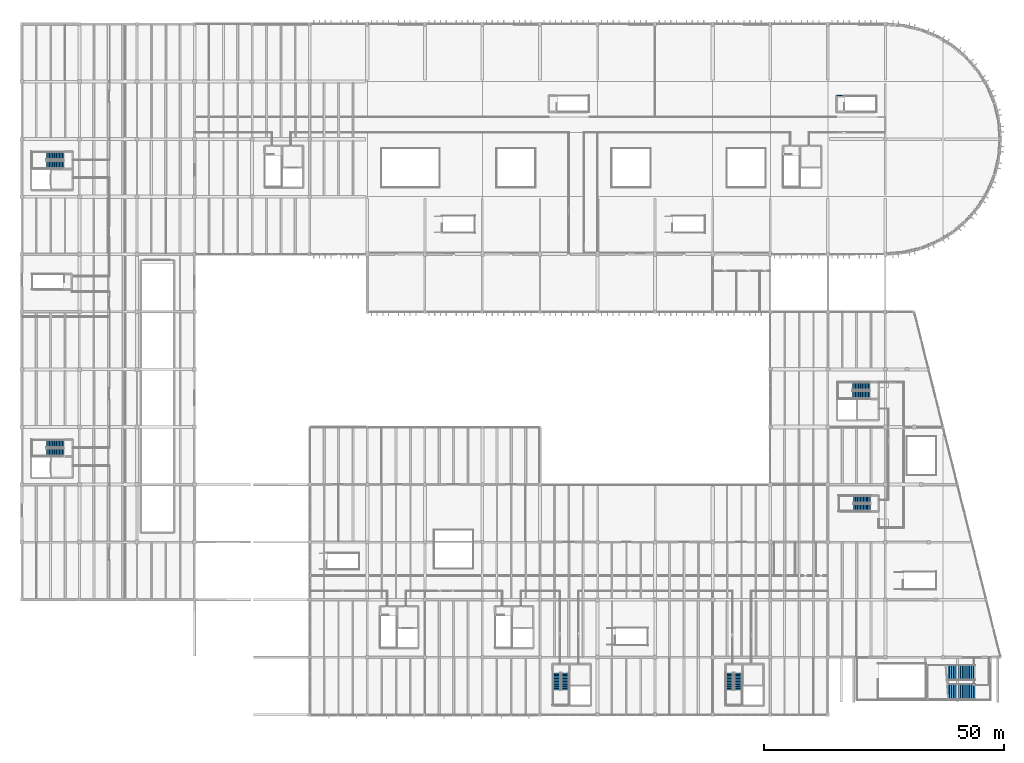
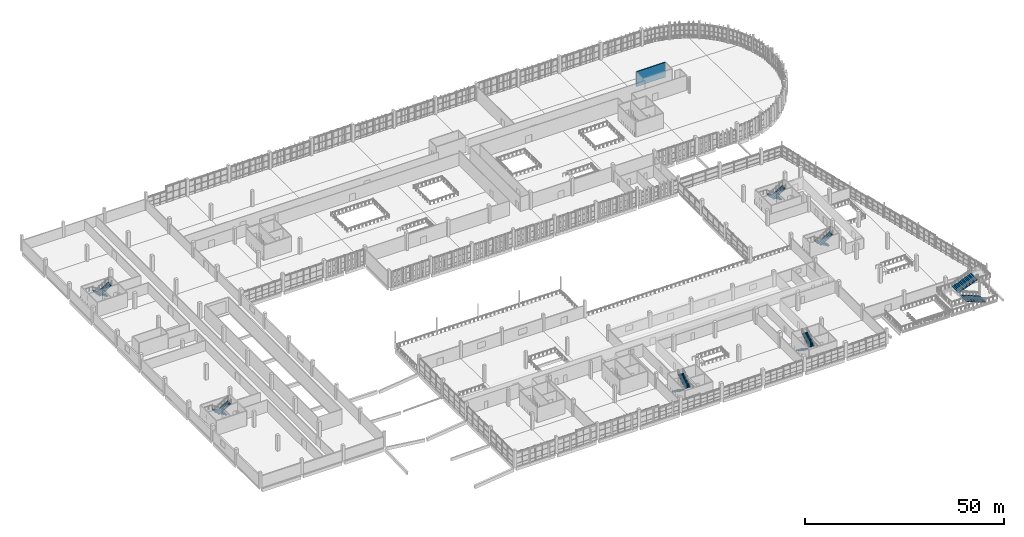
# One storey, part 89 of 112: 14 stair flights, 1 wall, 7 elements without a shape of their own.
"""IFC4 building model written with IfcOpenShell, lengths in metres."""

from ifc_helpers import new_model, si_unit, direction, frame, frame_2d, origin, place, context, subcontext, project, spatial, polyline, rectangle, outline, extrude, material, layer, layer_set, type_object, element, aggregate, save


model = new_model("IFC4")

# Units and contexts
model_context = context("Model", 3, precision=1e-05, world=origin(), true_north=direction((0.0, 1.0)))
body_context = subcontext(model_context, "Body", "Model", "MODEL_VIEW")
ifc_project = project(units=[si_unit("LENGTHUNIT", "METRE"), si_unit("AREAUNIT", "SQUARE_METRE"), si_unit("VOLUMEUNIT", "CUBIC_METRE"), si_unit("PLANEANGLEUNIT", "RADIAN"), si_unit("MASSUNIT", "GRAM", prefix="KILO")], contexts=[model_context])

# Site, building, storey
site_placement = place(None, origin())
site = spatial("IfcSite", under=ifc_project, at=site_placement, CompositionType="ELEMENT")
building_placement = place(site_placement, origin())
building = spatial("IfcBuilding", under=site, at=building_placement, Name="Kamomehara Wholesale Market", CompositionType="ELEMENT")
storey_placement = place(building_placement, frame((0.0, 0.0, 6.60009765625)))
storey = spatial("IfcBuildingStorey", under=building, at=storey_placement, Name="L01", CompositionType="ELEMENT", Elevation=6.60009765625)

# Wall
ifc_material_1 = material(Name="Concrete Fc36 (C35/45)", Category="concrete")
ifc_layer_1 = layer(ifc_material_1, 0.219970703125)
ifc_layer_set_1 = layer_set([ifc_layer_1], Name="Concrete Fc36 (C35/45)")
wall_type = type_object("IfcWallType", Name="IW-SHR-220", PredefinedType="SHEAR", material=ifc_layer_set_1)
wall_placement = place(storey_placement, frame((178.179931640625, 141.030029296875, 0.0), z_axis=(0.0, 0.0, 1.0), x_axis=(-1.0, 0.0, 0.0)))
element("IfcWall", 1, at=wall_placement, inside=storey, type_object=wall_type, Name="Interior wall IW-SHR-220 178", PredefinedType="SHEAR", context=body_context, shape_type="SweptSolid", body=[
    extrude(rectangle(XDim=8.3798828125, YDim=0.219970703125, at=frame_2d((4.18994140625, 0.0))), origin(), (0.0, 0.0, 1.0), 4.58984375),
])

# Stair, stair flights
ifc_material_2 = material(Name="Concrete Fc36 (C35/45)", Category="concrete")
stair_type_1 = type_object("IfcStairType", Name="STR-DL-02", PredefinedType="HALF_TURN_STAIR", material=ifc_material_2)
stair_1_placement = place(storey_placement, origin())
stair_1 = element("IfcStair", 2, at=stair_1_placement, inside=storey, type_object=stair_type_1, Name="L01 Core exit stair ST-03", PredefinedType="HALF_TURN_STAIR")
ifc_material_3 = material(Name="Concrete Fc36 (C35/45)", Category="concrete")
ifc_layer_2 = layer(ifc_material_3, 0.199951171875)
ifc_layer_set_2 = layer_set([ifc_layer_2], Name="Concrete Fc36 (C35/45)")
stair_flight_type_1 = type_object("IfcStairFlightType", Name="SFL-01", PredefinedType="STRAIGHT", material=ifc_layer_set_2)
stair_flight_1_placement = place(storey_placement, frame((8.75, 68.5, 0.0), z_axis=(0.0, 0.0, 1.0), x_axis=(-1.0, 0.0, 0.0)))
stair_flight_1 = element("IfcStairFlight", 3, at=stair_flight_1_placement, type_object=stair_flight_type_1, Name="ST-03 flight 1", NumberOfRisers=13, NumberOfTreads=12, PredefinedType="STRAIGHT", RiserHeight=0.184615385, TreadLength=0.3, context=body_context, shape_type="SweptSolid", body=[
    extrude(outline(polyline([(0.0, 0.0), (0.0, 0.1845703125), (0.300048828125, 0.1845703125), (0.300048828125, 0.369140625), (0.60009765625, 0.369140625), (0.60009765625, 0.553955078125), (0.89990234375, 0.553955078125), (0.89990234375, 0.738525390625), (1.199951171875, 0.738525390625), (1.199951171875, 0.923095703125), (1.5, 0.923095703125), (1.5, 1.107666015625), (1.800048828125, 1.107666015625), (1.800048828125, 1.292236328125), (2.10009765625, 1.292236328125), (2.10009765625, 1.476806640625), (2.39990234375, 1.476806640625), (2.39990234375, 1.66162109375), (2.699951171875, 1.66162109375), (2.699951171875, 1.84619140625), (3.0, 1.84619140625), (3.0, 2.03076171875), (3.300048828125, 2.03076171875), (3.300048828125, 2.21533203125), (3.60009765625, 2.21533203125), (3.60009765625, 2.39990234375), (3.60009765625, 1.980712890625), (0.381591796875, 0.0), (0.0, 0.0)])), frame((0.0, 0.800048828125, 0.0), z_axis=(0.0, -1.0, 0.0), x_axis=(1.0, 0.0, 0.0)), (0.0, 0.0, 1.0), 1.60009765625),
])
stair_flight_2_placement = place(storey_placement, frame((5.14990234375, 66.699951171875, 2.39990234375), z_axis=(0.0, 0.0, 1.0), x_axis=(1.0, 0.0, 0.0)))
stair_flight_2 = element("IfcStairFlight", 4, at=stair_flight_2_placement, type_object=stair_flight_type_1, Name="ST-03 flight 2", NumberOfRisers=13, NumberOfTreads=12, PredefinedType="STRAIGHT", RiserHeight=0.184615385, TreadLength=0.3, context=body_context, shape_type="SweptSolid", body=[
    extrude(outline(polyline([(0.0, 0.0), (0.0, 0.1845703125), (0.300048828125, 0.1845703125), (0.300048828125, 0.369140625), (0.60009765625, 0.369140625), (0.60009765625, 0.553955078125), (0.89990234375, 0.553955078125), (0.89990234375, 0.738525390625), (1.199951171875, 0.738525390625), (1.199951171875, 0.923095703125), (1.5, 0.923095703125), (1.5, 1.107666015625), (1.800048828125, 1.107666015625), (1.800048828125, 1.292236328125), (2.10009765625, 1.292236328125), (2.10009765625, 1.476806640625), (2.39990234375, 1.476806640625), (2.39990234375, 1.66162109375), (2.699951171875, 1.66162109375), (2.699951171875, 1.84619140625), (3.0, 1.84619140625), (3.0, 2.03076171875), (3.300048828125, 2.03076171875), (3.300048828125, 2.21533203125), (3.60009765625, 2.21533203125), (3.60009765625, 2.39990234375), (3.60009765625, 1.980712890625), (0.381591796875, 0.0), (0.0, 0.0)])), frame((0.0, 0.800048828125, 0.0), z_axis=(0.0, -1.0, 0.0), x_axis=(1.0, 0.0, 0.0)), (0.0, 0.0, 1.0), 1.60009765625),
])
aggregate(stair_1, [stair_flight_1, stair_flight_2])

stair_2_placement = place(storey_placement, origin())
stair_2 = element("IfcStair", 5, at=stair_2_placement, inside=storey, type_object=stair_type_1, Name="L01 Core exit stair ST-04", PredefinedType="HALF_TURN_STAIR")
stair_flight_3_placement = place(storey_placement, frame((8.75, 128.5, 0.0), z_axis=(0.0, 0.0, 1.0), x_axis=(-1.0, 0.0, 0.0)))
stair_flight_3 = element("IfcStairFlight", 6, at=stair_flight_3_placement, type_object=stair_flight_type_1, Name="ST-04 flight 1", NumberOfRisers=13, NumberOfTreads=12, PredefinedType="STRAIGHT", RiserHeight=0.184615385, TreadLength=0.3, context=body_context, shape_type="SweptSolid", body=[
    extrude(outline(polyline([(0.0, 0.0), (0.0, 0.1845703125), (0.300048828125, 0.1845703125), (0.300048828125, 0.369140625), (0.60009765625, 0.369140625), (0.60009765625, 0.553955078125), (0.89990234375, 0.553955078125), (0.89990234375, 0.738525390625), (1.199951171875, 0.738525390625), (1.199951171875, 0.923095703125), (1.5, 0.923095703125), (1.5, 1.107666015625), (1.800048828125, 1.107666015625), (1.800048828125, 1.292236328125), (2.10009765625, 1.292236328125), (2.10009765625, 1.476806640625), (2.39990234375, 1.476806640625), (2.39990234375, 1.66162109375), (2.699951171875, 1.66162109375), (2.699951171875, 1.84619140625), (3.0, 1.84619140625), (3.0, 2.03076171875), (3.300048828125, 2.03076171875), (3.300048828125, 2.21533203125), (3.60009765625, 2.21533203125), (3.60009765625, 2.39990234375), (3.60009765625, 1.980712890625), (0.381591796875, 0.0), (0.0, 0.0)])), frame((0.0, 0.800048828125, 0.0), z_axis=(0.0, -1.0, 0.0), x_axis=(1.0, 0.0, 0.0)), (0.0, 0.0, 1.0), 1.60009765625),
])
stair_flight_4_placement = place(storey_placement, frame((5.14990234375, 126.699951171875, 2.39990234375), z_axis=(0.0, 0.0, 1.0), x_axis=(1.0, 0.0, 0.0)))
stair_flight_4 = element("IfcStairFlight", 7, at=stair_flight_4_placement, type_object=stair_flight_type_1, Name="ST-04 flight 2", NumberOfRisers=13, NumberOfTreads=12, PredefinedType="STRAIGHT", RiserHeight=0.184615385, TreadLength=0.3, context=body_context, shape_type="SweptSolid", body=[
    extrude(outline(polyline([(0.0, 0.0), (0.0, 0.1845703125), (0.300048828125, 0.1845703125), (0.300048828125, 0.369140625), (0.60009765625, 0.369140625), (0.60009765625, 0.553955078125), (0.89990234375, 0.553955078125), (0.89990234375, 0.738525390625), (1.199951171875, 0.738525390625), (1.199951171875, 0.923095703125), (1.5, 0.923095703125), (1.5, 1.107666015625), (1.800048828125, 1.107666015625), (1.800048828125, 1.292236328125), (2.10009765625, 1.292236328125), (2.10009765625, 1.476806640625), (2.39990234375, 1.476806640625), (2.39990234375, 1.66162109375), (2.699951171875, 1.66162109375), (2.699951171875, 1.84619140625), (3.0, 1.84619140625), (3.0, 2.03076171875), (3.300048828125, 2.03076171875), (3.300048828125, 2.21533203125), (3.60009765625, 2.21533203125), (3.60009765625, 2.39990234375), (3.60009765625, 1.980712890625), (0.381591796875, 0.0), (0.0, 0.0)])), frame((0.0, 0.800048828125, 0.0), z_axis=(0.0, -1.0, 0.0), x_axis=(1.0, 0.0, 0.0)), (0.0, 0.0, 1.0), 1.60009765625),
])
aggregate(stair_2, [stair_flight_3, stair_flight_4])

stair_3_placement = place(storey_placement, origin())
stair_3 = element("IfcStair", 8, at=stair_3_placement, inside=storey, type_object=stair_type_1, Name="L01 Core exit stair ST-07", PredefinedType="HALF_TURN_STAIR")
stair_flight_5_placement = place(storey_placement, frame((111.5, 20.75, 0.0), z_axis=(0.0, 0.0, 1.0), x_axis=(0.0, -1.0, 0.0)))
stair_flight_5 = element("IfcStairFlight", 9, at=stair_flight_5_placement, type_object=stair_flight_type_1, Name="ST-07 flight 1", NumberOfRisers=13, NumberOfTreads=12, PredefinedType="STRAIGHT", RiserHeight=0.184615385, TreadLength=0.3, context=body_context, shape_type="SweptSolid", body=[
    extrude(outline(polyline([(0.0, 0.0), (0.0, 0.1845703125), (0.300048828125, 0.1845703125), (0.300048828125, 0.369140625), (0.60009765625, 0.369140625), (0.60009765625, 0.553955078125), (0.89990234375, 0.553955078125), (0.89990234375, 0.738525390625), (1.199951171875, 0.738525390625), (1.199951171875, 0.923095703125), (1.5, 0.923095703125), (1.5, 1.107666015625), (1.800048828125, 1.107666015625), (1.800048828125, 1.292236328125), (2.10009765625, 1.292236328125), (2.10009765625, 1.476806640625), (2.39990234375, 1.476806640625), (2.39990234375, 1.66162109375), (2.699951171875, 1.66162109375), (2.699951171875, 1.84619140625), (3.0, 1.84619140625), (3.0, 2.03076171875), (3.300048828125, 2.03076171875), (3.300048828125, 2.21533203125), (3.60009765625, 2.21533203125), (3.60009765625, 2.39990234375), (3.60009765625, 1.980712890625), (0.381591796875, 0.0), (0.0, 0.0)])), frame((0.0, 0.800048828125, 0.0), z_axis=(0.0, -1.0, 0.0), x_axis=(1.0, 0.0, 0.0)), (0.0, 0.0, 1.0), 1.60009765625),
])
stair_flight_6_placement = place(storey_placement, frame((113.300048828125, 17.14990234375, 2.39990234375), z_axis=(0.0, 0.0, 1.0), x_axis=(0.0, 1.0, 0.0)))
stair_flight_6 = element("IfcStairFlight", 10, at=stair_flight_6_placement, type_object=stair_flight_type_1, Name="ST-07 flight 2", NumberOfRisers=13, NumberOfTreads=12, PredefinedType="STRAIGHT", RiserHeight=0.184615385, TreadLength=0.3, context=body_context, shape_type="SweptSolid", body=[
    extrude(outline(polyline([(0.0, 0.0), (0.0, 0.1845703125), (0.300048828125, 0.1845703125), (0.300048828125, 0.369140625), (0.60009765625, 0.369140625), (0.60009765625, 0.553955078125), (0.89990234375, 0.553955078125), (0.89990234375, 0.738525390625), (1.199951171875, 0.738525390625), (1.199951171875, 0.923095703125), (1.5, 0.923095703125), (1.5, 1.107666015625), (1.800048828125, 1.107666015625), (1.800048828125, 1.292236328125), (2.10009765625, 1.292236328125), (2.10009765625, 1.476806640625), (2.39990234375, 1.476806640625), (2.39990234375, 1.66162109375), (2.699951171875, 1.66162109375), (2.699951171875, 1.84619140625), (3.0, 1.84619140625), (3.0, 2.03076171875), (3.300048828125, 2.03076171875), (3.300048828125, 2.21533203125), (3.60009765625, 2.21533203125), (3.60009765625, 2.39990234375), (3.60009765625, 1.980712890625), (0.381591796875, 0.0), (0.0, 0.0)])), frame((0.0, 0.800048828125, 0.0), z_axis=(0.0, -1.0, 0.0), x_axis=(1.0, 0.0, 0.0)), (0.0, 0.0, 1.0), 1.60009765625),
])
aggregate(stair_3, [stair_flight_5, stair_flight_6])

stair_4_placement = place(storey_placement, origin())
stair_4 = element("IfcStair", 11, at=stair_4_placement, inside=storey, type_object=stair_type_1, Name="L01 Core exit stair ST-08", PredefinedType="HALF_TURN_STAIR")
stair_flight_7_placement = place(storey_placement, frame((147.5, 20.75, 0.0), z_axis=(0.0, 0.0, 1.0), x_axis=(0.0, -1.0, 0.0)))
stair_flight_7 = element("IfcStairFlight", 12, at=stair_flight_7_placement, type_object=stair_flight_type_1, Name="ST-08 flight 1", NumberOfRisers=13, NumberOfTreads=12, PredefinedType="STRAIGHT", RiserHeight=0.184615385, TreadLength=0.3, context=body_context, shape_type="SweptSolid", body=[
    extrude(outline(polyline([(0.0, 0.0), (0.0, 0.1845703125), (0.300048828125, 0.1845703125), (0.300048828125, 0.369140625), (0.60009765625, 0.369140625), (0.60009765625, 0.553955078125), (0.89990234375, 0.553955078125), (0.89990234375, 0.738525390625), (1.199951171875, 0.738525390625), (1.199951171875, 0.923095703125), (1.5, 0.923095703125), (1.5, 1.107666015625), (1.800048828125, 1.107666015625), (1.800048828125, 1.292236328125), (2.10009765625, 1.292236328125), (2.10009765625, 1.476806640625), (2.39990234375, 1.476806640625), (2.39990234375, 1.66162109375), (2.699951171875, 1.66162109375), (2.699951171875, 1.84619140625), (3.0, 1.84619140625), (3.0, 2.03076171875), (3.300048828125, 2.03076171875), (3.300048828125, 2.21533203125), (3.60009765625, 2.21533203125), (3.60009765625, 2.39990234375), (3.60009765625, 1.980712890625), (0.381591796875, 0.0), (0.0, 0.0)])), frame((0.0, 0.800048828125, 0.0), z_axis=(0.0, -1.0, 0.0), x_axis=(1.0, 0.0, 0.0)), (0.0, 0.0, 1.0), 1.60009765625),
])
stair_flight_8_placement = place(storey_placement, frame((149.300048828125, 17.14990234375, 2.39990234375), z_axis=(0.0, 0.0, 1.0), x_axis=(0.0, 1.0, 0.0)))
stair_flight_8 = element("IfcStairFlight", 13, at=stair_flight_8_placement, type_object=stair_flight_type_1, Name="ST-08 flight 2", NumberOfRisers=13, NumberOfTreads=12, PredefinedType="STRAIGHT", RiserHeight=0.184615385, TreadLength=0.3, context=body_context, shape_type="SweptSolid", body=[
    extrude(outline(polyline([(0.0, 0.0), (0.0, 0.1845703125), (0.300048828125, 0.1845703125), (0.300048828125, 0.369140625), (0.60009765625, 0.369140625), (0.60009765625, 0.553955078125), (0.89990234375, 0.553955078125), (0.89990234375, 0.738525390625), (1.199951171875, 0.738525390625), (1.199951171875, 0.923095703125), (1.5, 0.923095703125), (1.5, 1.107666015625), (1.800048828125, 1.107666015625), (1.800048828125, 1.292236328125), (2.10009765625, 1.292236328125), (2.10009765625, 1.476806640625), (2.39990234375, 1.476806640625), (2.39990234375, 1.66162109375), (2.699951171875, 1.66162109375), (2.699951171875, 1.84619140625), (3.0, 1.84619140625), (3.0, 2.03076171875), (3.300048828125, 2.03076171875), (3.300048828125, 2.21533203125), (3.60009765625, 2.21533203125), (3.60009765625, 2.39990234375), (3.60009765625, 1.980712890625), (0.381591796875, 0.0), (0.0, 0.0)])), frame((0.0, 0.800048828125, 0.0), z_axis=(0.0, -1.0, 0.0), x_axis=(1.0, 0.0, 0.0)), (0.0, 0.0, 1.0), 1.60009765625),
])
aggregate(stair_4, [stair_flight_7, stair_flight_8])

stair_5_placement = place(storey_placement, origin())
stair_5 = element("IfcStair", 14, at=stair_5_placement, inside=storey, type_object=stair_type_1, Name="L01 Core exit stair ST-09", PredefinedType="HALF_TURN_STAIR")
stair_flight_9_placement = place(storey_placement, frame((176.75, 80.5, 0.0), z_axis=(0.0, 0.0, 1.0), x_axis=(-1.0, 0.0, 0.0)))
stair_flight_9 = element("IfcStairFlight", 15, at=stair_flight_9_placement, type_object=stair_flight_type_1, Name="ST-09 flight 1", NumberOfRisers=13, NumberOfTreads=12, PredefinedType="STRAIGHT", RiserHeight=0.184615385, TreadLength=0.3, context=body_context, shape_type="SweptSolid", body=[
    extrude(outline(polyline([(0.0, 0.0), (0.0, 0.1845703125), (0.300048828125, 0.1845703125), (0.300048828125, 0.369140625), (0.60009765625, 0.369140625), (0.60009765625, 0.553955078125), (0.89990234375, 0.553955078125), (0.89990234375, 0.738525390625), (1.199951171875, 0.738525390625), (1.199951171875, 0.923095703125), (1.5, 0.923095703125), (1.5, 1.107666015625), (1.800048828125, 1.107666015625), (1.800048828125, 1.292236328125), (2.10009765625, 1.292236328125), (2.10009765625, 1.476806640625), (2.39990234375, 1.476806640625), (2.39990234375, 1.66162109375), (2.699951171875, 1.66162109375), (2.699951171875, 1.84619140625), (3.0, 1.84619140625), (3.0, 2.03076171875), (3.300048828125, 2.03076171875), (3.300048828125, 2.21533203125), (3.60009765625, 2.21533203125), (3.60009765625, 2.39990234375), (3.60009765625, 1.980712890625), (0.381591796875, 0.0), (0.0, 0.0)])), frame((0.0, 0.800048828125, 0.0), z_axis=(0.0, -1.0, 0.0), x_axis=(1.0, 0.0, 0.0)), (0.0, 0.0, 1.0), 1.60009765625),
])
stair_flight_10_placement = place(storey_placement, frame((173.14990234375, 78.699951171875, 2.39990234375), z_axis=(0.0, 0.0, 1.0), x_axis=(1.0, 0.0, 0.0)))
stair_flight_10 = element("IfcStairFlight", 16, at=stair_flight_10_placement, type_object=stair_flight_type_1, Name="ST-09 flight 2", NumberOfRisers=13, NumberOfTreads=12, PredefinedType="STRAIGHT", RiserHeight=0.184615385, TreadLength=0.3, context=body_context, shape_type="SweptSolid", body=[
    extrude(outline(polyline([(0.0, 0.0), (0.0, 0.1845703125), (0.300048828125, 0.1845703125), (0.300048828125, 0.369140625), (0.60009765625, 0.369140625), (0.60009765625, 0.553955078125), (0.89990234375, 0.553955078125), (0.89990234375, 0.738525390625), (1.199951171875, 0.738525390625), (1.199951171875, 0.923095703125), (1.5, 0.923095703125), (1.5, 1.107666015625), (1.800048828125, 1.107666015625), (1.800048828125, 1.292236328125), (2.10009765625, 1.292236328125), (2.10009765625, 1.476806640625), (2.39990234375, 1.476806640625), (2.39990234375, 1.66162109375), (2.699951171875, 1.66162109375), (2.699951171875, 1.84619140625), (3.0, 1.84619140625), (3.0, 2.03076171875), (3.300048828125, 2.03076171875), (3.300048828125, 2.21533203125), (3.60009765625, 2.21533203125), (3.60009765625, 2.39990234375), (3.60009765625, 1.980712890625), (0.381591796875, 0.0), (0.0, 0.0)])), frame((0.0, 0.800048828125, 0.0), z_axis=(0.0, -1.0, 0.0), x_axis=(1.0, 0.0, 0.0)), (0.0, 0.0, 1.0), 1.60009765625),
])
aggregate(stair_5, [stair_flight_9, stair_flight_10])

ifc_material_4 = material(Name="Concrete Fc36 (C35/45)", Category="concrete")
stair_type_2 = type_object("IfcStairType", Name="STR-DL-03", PredefinedType="HALF_TURN_STAIR", material=ifc_material_4)
stair_6_placement = place(storey_placement, origin())
stair_6 = element("IfcStair", 17, at=stair_6_placement, inside=storey, type_object=stair_type_2, Name="L01 Exit stair ST-10", PredefinedType="HALF_TURN_STAIR")
ifc_material_5 = material(Name="Concrete Fc36 (C35/45)", Category="concrete")
ifc_layer_3 = layer(ifc_material_5, 0.219970703125)
ifc_layer_set_3 = layer_set([ifc_layer_3], Name="Concrete Fc36 (C35/45)")
stair_flight_type_2 = type_object("IfcStairFlightType", Name="SFL-02", PredefinedType="STRAIGHT", material=ifc_layer_set_3)
stair_flight_11_placement = place(storey_placement, frame((176.9150390625, 56.907470703125, 0.0), z_axis=(0.0, 0.0, 1.0), x_axis=(-1.0, 0.0, 0.0)))
stair_flight_11 = element("IfcStairFlight", 18, at=stair_flight_11_placement, type_object=stair_flight_type_2, Name="ST-10 flight 1", NumberOfRisers=13, NumberOfTreads=12, PredefinedType="STRAIGHT", RiserHeight=0.184615385, TreadLength=0.3, context=body_context, shape_type="SweptSolid", body=[
    extrude(outline(polyline([(0.0, 0.0), (0.0, 0.1845703125), (0.300048828125, 0.1845703125), (0.300048828125, 0.369140625), (0.60009765625, 0.369140625), (0.60009765625, 0.553955078125), (0.89990234375, 0.553955078125), (0.89990234375, 0.738525390625), (1.199951171875, 0.738525390625), (1.199951171875, 0.923095703125), (1.5, 0.923095703125), (1.5, 1.107666015625), (1.800048828125, 1.107666015625), (1.800048828125, 1.292236328125), (2.10009765625, 1.292236328125), (2.10009765625, 1.476806640625), (2.39990234375, 1.476806640625), (2.39990234375, 1.66162109375), (2.699951171875, 1.66162109375), (2.699951171875, 1.84619140625), (3.0, 1.84619140625), (3.0, 2.03076171875), (3.300048828125, 2.03076171875), (3.300048828125, 2.21533203125), (3.60009765625, 2.21533203125), (3.60009765625, 2.39990234375), (3.60009765625, 1.980712890625), (0.381591796875, 0.0), (0.0, 0.0)])), frame((0.0, 0.74267578125, 0.0), z_axis=(0.0, -1.0, 0.0), x_axis=(1.0, 0.0, 0.0)), (0.0, 0.0, 1.0), 1.485107421875),
])
stair_flight_12_placement = place(storey_placement, frame((173.31494140625, 55.222412109375, 2.39990234375), z_axis=(0.0, 0.0, 1.0), x_axis=(1.0, 0.0, 0.0)))
stair_flight_12 = element("IfcStairFlight", 19, at=stair_flight_12_placement, type_object=stair_flight_type_2, Name="ST-10 flight 2", NumberOfRisers=13, NumberOfTreads=12, PredefinedType="STRAIGHT", RiserHeight=0.184615385, TreadLength=0.3, context=body_context, shape_type="SweptSolid", body=[
    extrude(outline(polyline([(0.0, 0.0), (0.0, 0.1845703125), (0.300048828125, 0.1845703125), (0.300048828125, 0.369140625), (0.60009765625, 0.369140625), (0.60009765625, 0.553955078125), (0.89990234375, 0.553955078125), (0.89990234375, 0.738525390625), (1.199951171875, 0.738525390625), (1.199951171875, 0.923095703125), (1.5, 0.923095703125), (1.5, 1.107666015625), (1.800048828125, 1.107666015625), (1.800048828125, 1.292236328125), (2.10009765625, 1.292236328125), (2.10009765625, 1.476806640625), (2.39990234375, 1.476806640625), (2.39990234375, 1.66162109375), (2.699951171875, 1.66162109375), (2.699951171875, 1.84619140625), (3.0, 1.84619140625), (3.0, 2.03076171875), (3.300048828125, 2.03076171875), (3.300048828125, 2.21533203125), (3.60009765625, 2.21533203125), (3.60009765625, 2.39990234375), (3.60009765625, 1.980712890625), (0.381591796875, 0.0), (0.0, 0.0)])), frame((0.0, 0.74267578125, 0.0), z_axis=(0.0, -1.0, 0.0), x_axis=(1.0, 0.0, 0.0)), (0.0, 0.0, 1.0), 1.485107421875),
])
aggregate(stair_6, [stair_flight_11, stair_flight_12])

ifc_material_6 = material(Name="Concrete Fc36 (C35/45)", Category="concrete")
stair_type_3 = type_object("IfcStairType", Name="STR-DL-09", PredefinedType="HALF_TURN_STAIR", material=ifc_material_6)
stair_7_placement = place(storey_placement, origin())
stair_7 = element("IfcStair", 20, at=stair_7_placement, inside=storey, type_object=stair_type_3, Name="Exterior ceremonial stair ST-20", PredefinedType="HALF_TURN_STAIR")
ifc_material_7 = material(Name="Concrete Fc36 (C35/45)", Category="concrete")
ifc_layer_4 = layer(ifc_material_7, 0.199951171875)
ifc_layer_set_4 = layer_set([ifc_layer_4], Name="Concrete Fc36 (C35/45)")
stair_flight_type_3 = type_object("IfcStairFlightType", Name="SFL-05", PredefinedType="STRAIGHT", material=ifc_layer_set_4)
stair_flight_13_placement = place(storey_placement, frame((198.699951171875, 16.800048828125, 0.0), z_axis=(0.0, 0.0, 1.0), x_axis=(-1.0, 0.0, 0.0)))
stair_flight_13 = element("IfcStairFlight", 21, at=stair_flight_13_placement, type_object=stair_flight_type_3, Name="ST-20 flight 1", NumberOfRisers=16, NumberOfTreads=15, PredefinedType="STRAIGHT", RiserHeight=0.15, TreadLength=0.38, context=body_context, shape_type="SweptSolid", body=[
    extrude(outline(polyline([(0.0, 0.0), (0.0, 0.14990234375), (0.3798828125, 0.14990234375), (0.3798828125, 0.300048828125), (0.760009765625, 0.300048828125), (0.760009765625, 0.449951171875), (1.139892578125, 0.449951171875), (1.139892578125, 0.60009765625), (1.52001953125, 0.60009765625), (1.52001953125, 0.75), (1.89990234375, 0.75), (1.89990234375, 0.89990234375), (2.280029296875, 0.89990234375), (2.280029296875, 1.050048828125), (2.659912109375, 1.050048828125), (2.659912109375, 1.199951171875), (3.0400390625, 1.199951171875), (3.0400390625, 1.35009765625), (3.419921875, 1.35009765625), (3.419921875, 1.5), (3.800048828125, 1.5), (3.800048828125, 1.64990234375), (4.179931640625, 1.64990234375), (4.179931640625, 1.800048828125), (4.56005859375, 1.800048828125), (4.56005859375, 1.949951171875), (4.93994140625, 1.949951171875), (4.93994140625, 2.10009765625), (5.320068359375, 2.10009765625), (5.320068359375, 2.25), (5.699951171875, 2.25), (5.699951171875, 2.39990234375), (5.699951171875, 2.0888671875), (0.408203125, 0.0), (0.0, 0.0)])), frame((0.0, 1.60009765625, 0.0), z_axis=(0.0, -1.0, 0.0), x_axis=(1.0, 0.0, 0.0)), (0.0, 0.0, 1.0), 3.199951171875),
])
stair_flight_14_placement = place(storey_placement, frame((193.0, 20.800048828125, 2.39990234375), z_axis=(0.0, 0.0, 1.0), x_axis=(1.0, 0.0, 0.0)))
stair_flight_14 = element("IfcStairFlight", 22, at=stair_flight_14_placement, type_object=stair_flight_type_3, Name="ST-20 flight 2", NumberOfRisers=16, NumberOfTreads=15, PredefinedType="STRAIGHT", RiserHeight=0.15, TreadLength=0.38, context=body_context, shape_type="SweptSolid", body=[
    extrude(outline(polyline([(0.0, 0.0), (0.0, 0.14990234375), (0.3798828125, 0.14990234375), (0.3798828125, 0.300048828125), (0.760009765625, 0.300048828125), (0.760009765625, 0.449951171875), (1.139892578125, 0.449951171875), (1.139892578125, 0.60009765625), (1.52001953125, 0.60009765625), (1.52001953125, 0.75), (1.89990234375, 0.75), (1.89990234375, 0.89990234375), (2.280029296875, 0.89990234375), (2.280029296875, 1.050048828125), (2.659912109375, 1.050048828125), (2.659912109375, 1.199951171875), (3.0400390625, 1.199951171875), (3.0400390625, 1.35009765625), (3.419921875, 1.35009765625), (3.419921875, 1.5), (3.800048828125, 1.5), (3.800048828125, 1.64990234375), (4.179931640625, 1.64990234375), (4.179931640625, 1.800048828125), (4.56005859375, 1.800048828125), (4.56005859375, 1.949951171875), (4.93994140625, 1.949951171875), (4.93994140625, 2.10009765625), (5.320068359375, 2.10009765625), (5.320068359375, 2.25), (5.699951171875, 2.25), (5.699951171875, 2.39990234375), (5.699951171875, 2.0888671875), (0.408203125, 0.0), (0.0, 0.0)])), frame((0.0, 1.60009765625, 0.0), z_axis=(0.0, -1.0, 0.0), x_axis=(1.0, 0.0, 0.0)), (0.0, 0.0, 1.0), 3.199951171875),
])
aggregate(stair_7, [stair_flight_13, stair_flight_14])

save(model, "model.ifc")
